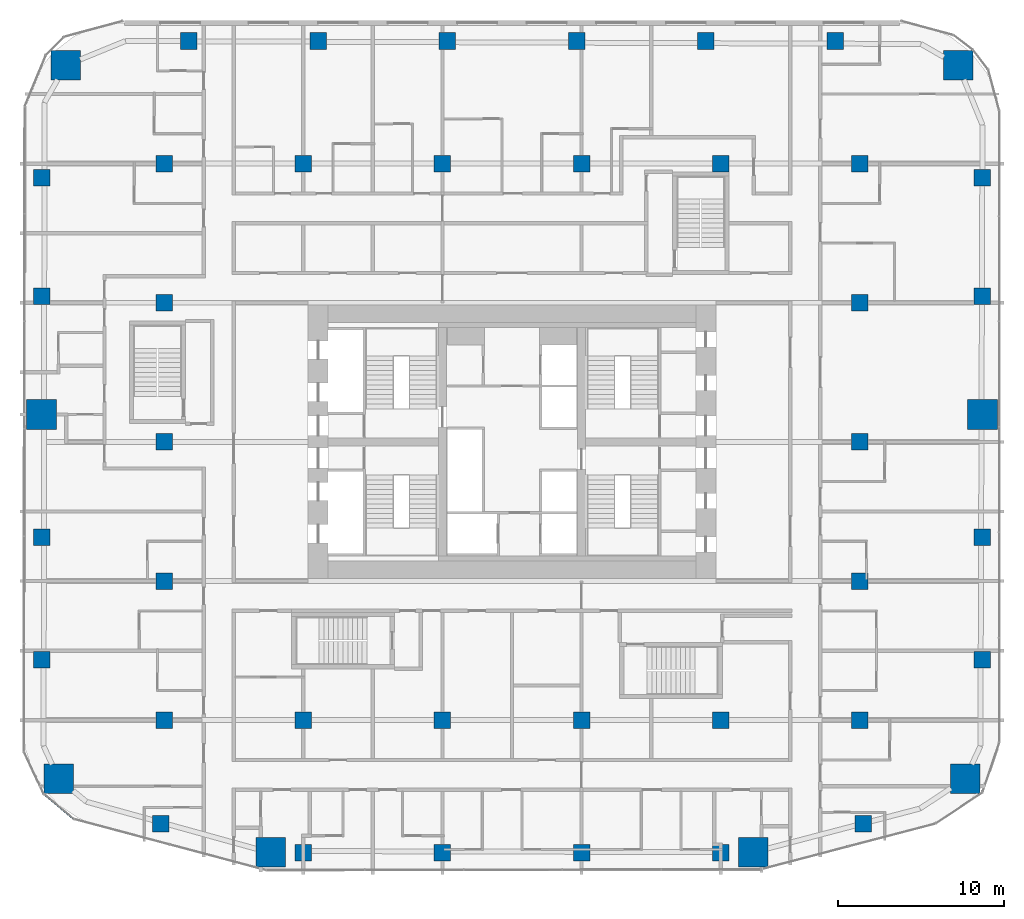
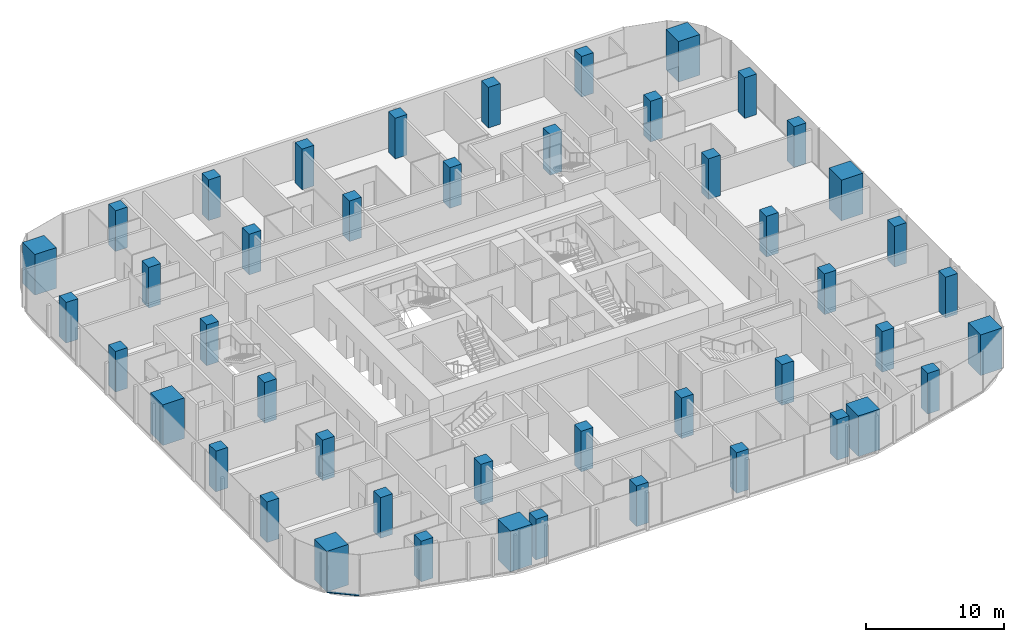
# One storey, part 1 of 26: 46 columns, 1 member, 1 element without a shape of its own.
"""IFC4 building model written with IfcOpenShell, lengths in metres."""

from ifc_helpers import new_model, si_unit, direction, frame, origin, origin_2d, place, context, subcontext, project, spatial, rectangle, extrude, material, layer, layer_set, material_profile, profile_set, type_object, element, aggregate, save


model = new_model("IFC4")

# Units and contexts
model_context = context("Model", 3, precision=1e-05, world=origin(), true_north=direction((0.0, 1.0)))
body_context = subcontext(model_context, "Body", "Model", "MODEL_VIEW")
ifc_project = project(units=[si_unit("LENGTHUNIT", "METRE"), si_unit("AREAUNIT", "SQUARE_METRE"), si_unit("VOLUMEUNIT", "CUBIC_METRE"), si_unit("PLANEANGLEUNIT", "RADIAN"), si_unit("MASSUNIT", "GRAM", prefix="KILO")], contexts=[model_context])

# Site, building, storey
site_placement = place(None, origin())
site = spatial("IfcSite", under=ifc_project, at=site_placement, CompositionType="ELEMENT")
building_placement = place(site_placement, origin())
building = spatial("IfcBuilding", under=site, at=building_placement, Name="Marenta Gate Hotel Tower", CompositionType="ELEMENT")
storey_placement = place(building_placement, frame((0.0, 0.0, 58.10009765625)))
storey = spatial("IfcBuildingStorey", under=building, at=storey_placement, Name="L12", CompositionType="ELEMENT", Elevation=58.10009765625)

# Columns
ifc_material_1 = material(Name="Concrete C80", Category="concrete")
ifc_material_profile_1 = material_profile(ifc_material_1, rectangle(XDim=1.0, YDim=1.0, at=origin_2d()), Name="1000 x 1000")
ifc_profile_set_1 = profile_set([ifc_material_profile_1], Name="Concrete C80")
column_type_1 = type_object("IfcColumnType", Name="Edge column 1000 x 1000 C80", PredefinedType="COLUMN", material=ifc_profile_set_1)
for number, where, z_axis, x_axis, name in (
    (1, (-28.39990234375, -4.751953125, 0.0), (0.0, 0.0, 1.0), (1.0, 0.0, 0.0), "L12-EC-SW-W-1"),
    (2, (-28.39990234375, 2.649169921875, 0.0), (0.0, 0.0, 1.0), (1.0, 0.0, 0.0), "L12-EC-SW-W-2"),
    (3, (-28.39990234375, 17.203125, 0.0), (0.0, 0.0, 1.0), (1.0, 0.0, 0.0), "L12-EC-W-NW-1"),
    (4, (-28.39990234375, 24.3564453125, 0.0), (0.0, 0.0, 1.0), (1.0, 0.0, 0.0), "L12-EC-W-NW-2"),
    (5, (-19.5068359375, 32.60009765625, 0.0), (0.0, 0.0, 1.0), (1.0, 0.0, 0.0), "L12-EC-NW-NE-1"),
    (6, (-11.7041015625, 32.60009765625, 0.0), (0.0, 0.0, 1.0), (1.0, 0.0, 0.0), "L12-EC-NW-NE-2"),
    (7, (-3.9013671875, 32.60009765625, 0.0), (0.0, 0.0, 1.0), (1.0, 0.0, 0.0), "L12-EC-NW-NE-3"),
    (8, (3.9013671875, 32.60009765625, 0.0), (0.0, 0.0, 1.0), (1.0, 0.0, 0.0), "L12-EC-NW-NE-4"),
    (9, (11.7041015625, 32.60009765625, 0.0), (0.0, 0.0, 1.0), (1.0, 0.0, 0.0), "L12-EC-NW-NE-5"),
    (10, (19.5068359375, 32.60009765625, 0.0), (0.0, 0.0, 1.0), (1.0, 0.0, 0.0), "L12-EC-NW-NE-6"),
    (11, (28.39990234375, 24.3564453125, 0.0), (0.0, 0.0, 1.0), (1.0, 0.0, 0.0), "L12-EC-NE-E-1"),
    (12, (28.39990234375, 17.203125, 0.0), (0.0, 0.0, 1.0), (1.0, 0.0, 0.0), "L12-EC-NE-E-2"),
    (13, (28.39990234375, 2.649169921875, 0.0), (0.0, 0.0, 1.0), (1.0, 0.0, 0.0), "L12-EC-E-SE-1"),
    (14, (28.39990234375, -4.751953125, 0.0), (0.0, 0.0, 1.0), (1.0, 0.0, 0.0), "L12-EC-E-SE-2"),
    (15, (21.206787109375, -14.63916015625, 0.0), (0.0, 0.0, 1.0), (1.0, 0.0, 0.0), "L12-EC-SE-SKE-1"),
    (16, (12.60009765625, -16.39990234375, 0.0), (0.0, 0.0, 1.0), (1.0, 0.0, 0.0), "L12-EC-SKE-SKW-1"),
    (17, (4.199951171875, -16.39990234375, 0.0), (0.0, 0.0, 1.0), (1.0, 0.0, 0.0), "L12-EC-SKE-SKW-2"),
    (18, (-4.199951171875, -16.39990234375, 0.0), (0.0, 0.0, 1.0), (1.0, 0.0, 0.0), "L12-EC-SKE-SKW-3"),
    (19, (-12.60009765625, -16.39990234375, 0.0), (0.0, 0.0, 1.0), (1.0, 0.0, 0.0), "L12-EC-SKE-SKW-4"),
    (20, (-21.206787109375, -14.63916015625, 0.0), (0.0, 0.0, 1.0), (1.0, 0.0, 0.0), "L12-EC-SKW-SW-1"),
):
    element("IfcColumn", number, at=place(storey_placement, frame(where, z_axis=z_axis, x_axis=x_axis)), inside=storey, type_object=column_type_1, Name=name, PredefinedType="COLUMN", context=body_context, shape_type="SweptSolid", body=[
        extrude(rectangle(XDim=1.0, YDim=1.0, at=origin_2d()), origin(), (0.0, 0.0, 1.0), 3.599853515625),
    ])
ifc_material_2 = material(Name="Concrete C80", Category="concrete")
ifc_material_profile_2 = material_profile(ifc_material_2, rectangle(XDim=1.0, YDim=1.0, at=origin_2d()), Name="1000 x 1000")
ifc_profile_set_2 = profile_set([ifc_material_profile_2], Name="Concrete C80")
column_type_2 = type_object("IfcColumnType", Name="Interior column 1000 x 1000 C80", PredefinedType="COLUMN", material=ifc_profile_set_2)
for number, where, z_axis, x_axis, name in (
    (21, (-21.0, -8.39990234375, 0.0), (0.0, 0.0, 1.0), (1.0, 0.0, 0.0), "L12-IC-4E"),
    (22, (-21.0, 0.0, 0.0), (0.0, 0.0, 1.0), (1.0, 0.0, 0.0), "L12-IC-4F"),
    (23, (-21.0, 8.39990234375, 0.0), (0.0, 0.0, 1.0), (1.0, 0.0, 0.0), "L12-IC-4G"),
    (24, (-21.0, 16.800048828125, 0.0), (0.0, 0.0, 1.0), (1.0, 0.0, 0.0), "L12-IC-4H"),
    (25, (-21.0, 25.199951171875, 0.0), (0.0, 0.0, 1.0), (1.0, 0.0, 0.0), "L12-IC-4I"),
    (26, (-12.60009765625, -8.39990234375, 0.0), (0.0, 0.0, 1.0), (1.0, 0.0, 0.0), "L12-IC-5E"),
    (27, (-12.60009765625, 25.199951171875, 0.0), (0.0, 0.0, 1.0), (1.0, 0.0, 0.0), "L12-IC-5I"),
    (28, (-4.199951171875, -8.39990234375, 0.0), (0.0, 0.0, 1.0), (1.0, 0.0, 0.0), "L12-IC-6E"),
    (29, (-4.199951171875, 25.199951171875, 0.0), (0.0, 0.0, 1.0), (1.0, 0.0, 0.0), "L12-IC-6I"),
    (30, (4.199951171875, -8.39990234375, 0.0), (0.0, 0.0, 1.0), (1.0, 0.0, 0.0), "L12-IC-7E"),
    (31, (4.199951171875, 25.199951171875, 0.0), (0.0, 0.0, 1.0), (1.0, 0.0, 0.0), "L12-IC-7I"),
    (32, (12.60009765625, -8.39990234375, 0.0), (0.0, 0.0, 1.0), (1.0, 0.0, 0.0), "L12-IC-8E"),
    (33, (12.60009765625, 25.199951171875, 0.0), (0.0, 0.0, 1.0), (1.0, 0.0, 0.0), "L12-IC-8I"),
    (34, (21.0, -8.39990234375, 0.0), (0.0, 0.0, 1.0), (1.0, 0.0, 0.0), "L12-IC-9E"),
    (35, (21.0, 0.0, 0.0), (0.0, 0.0, 1.0), (1.0, 0.0, 0.0), "L12-IC-9F"),
    (36, (21.0, 8.39990234375, 0.0), (0.0, 0.0, 1.0), (1.0, 0.0, 0.0), "L12-IC-9G"),
    (37, (21.0, 16.800048828125, 0.0), (0.0, 0.0, 1.0), (1.0, 0.0, 0.0), "L12-IC-9H"),
    (38, (21.0, 25.199951171875, 0.0), (0.0, 0.0, 1.0), (1.0, 0.0, 0.0), "L12-IC-9I"),
):
    element("IfcColumn", number, at=place(storey_placement, frame(where, z_axis=z_axis, x_axis=x_axis)), inside=storey, type_object=column_type_2, Name=name, PredefinedType="COLUMN", context=body_context, shape_type="SweptSolid", body=[
        extrude(rectangle(XDim=1.0, YDim=1.0, at=origin_2d()), origin(), (0.0, 0.0, 1.0), 3.599853515625),
    ])
ifc_material_3 = material(Name="Concrete C80", Category="concrete")
ifc_material_profile_3 = material_profile(ifc_material_3, rectangle(XDim=1.800048828125, YDim=1.800048828125, at=origin_2d()), Name="1800 x 1800")
ifc_profile_set_3 = profile_set([ifc_material_profile_3], Name="Concrete C80")
column_type_3 = type_object("IfcColumnType", Name="Mega column 1800 x 1800 C80", PredefinedType="COLUMN", material=ifc_profile_set_3)
for number, where, z_axis, x_axis, name in (
    (39, (-27.363037109375, -11.93310546875, 0.0), (0.0, 0.0, 1.0), (1.0, 0.0, 0.0), "L12-MC-SW"),
    (40, (-14.56640625, -16.374755859375, 0.0), (0.0, 0.0, 1.0), (1.0, 0.0, 0.0), "L12-MC-SKW"),
    (41, (14.56640625, -16.374755859375, 0.0), (0.0, 0.0, 1.0), (1.0, 0.0, 0.0), "L12-MC-SKE"),
    (42, (27.363037109375, -11.93310546875, 0.0), (0.0, 0.0, 1.0), (1.0, 0.0, 0.0), "L12-MC-SE"),
    (43, (28.39990234375, 10.050048828125, 0.0), (0.0, 0.0, 1.0), (1.0, 0.0, 0.0), "L12-MC-E"),
    (44, (26.935546875, 31.135498046875, 0.0), (0.0, 0.0, 1.0), (1.0, 0.0, 0.0), "L12-MC-NE"),
    (45, (-26.935546875, 31.135498046875, 0.0), (0.0, 0.0, 1.0), (1.0, 0.0, 0.0), "L12-MC-NW"),
    (46, (-28.39990234375, 10.050048828125, 0.0), (0.0, 0.0, 1.0), (1.0, 0.0, 0.0), "L12-MC-W"),
):
    element("IfcColumn", number, at=place(storey_placement, frame(where, z_axis=z_axis, x_axis=x_axis)), inside=storey, type_object=column_type_3, Name=name, PredefinedType="COLUMN", context=body_context, shape_type="SweptSolid", body=[
        extrude(rectangle(XDim=1.800048828125, YDim=1.800048828125, at=origin_2d()), origin(), (0.0, 0.0, 1.0), 3.599853515625),
    ])

# Curtain wall, member
ifc_material_4 = material(Name="Tinted insulated glass in bronze anodised frame", Category="glass")
ifc_layer = layer(ifc_material_4, 0.1201171875)
ifc_layer_set = layer_set([ifc_layer], Name="Tinted insulated glass in bronze anodised frame")
curtain_wall_type = type_object("IfcCurtainWallType", Name="Tower unitised curtain wall CW1", PredefinedType="NOTDEFINED", material=ifc_layer_set)
curtain_wall_placement = place(storey_placement, origin())
curtain_wall = element("IfcCurtainWall", 47, at=curtain_wall_placement, inside=storey, type_object=curtain_wall_type, Name="CW1 run G05", PredefinedType="NOTDEFINED")
ifc_material_5 = material(Name="Bronze anodised aluminium", Category="aluminium")
ifc_material_profile_4 = material_profile(ifc_material_5, rectangle(XDim=0.1201171875, YDim=0.06005859375, at=origin_2d()), Name="Transom CW1 60x120 bronze anodised aluminium")
ifc_profile_set_4 = profile_set([ifc_material_profile_4], Name="Bronze anodised aluminium")
member_type = type_object("IfcMemberType", Name="Transom CW1 60x120 bronze anodised aluminium", PredefinedType="USERDEFINED", material=ifc_profile_set_4)
member_placement = place(storey_placement, frame((-28.228271484375, -12.880126953125, 0.02978515625), z_axis=(0.767079699321, -0.641551817775, 0.0), x_axis=(0.641551817775, 0.767079699321, 0.0)))
member = element("IfcMember", 48, at=member_placement, type_object=member_type, Name="CW1 transom 1.1", ObjectType="TRANSOM", PredefinedType="USERDEFINED", context=body_context, shape_type="SweptSolid", body=[
    extrude(rectangle(XDim=0.1201171875, YDim=0.06005859375, at=origin_2d()), origin(), (0.0, 0.0, 1.0), 2.31640625),
])
aggregate(curtain_wall, [member])

save(model, "model.ifc")
